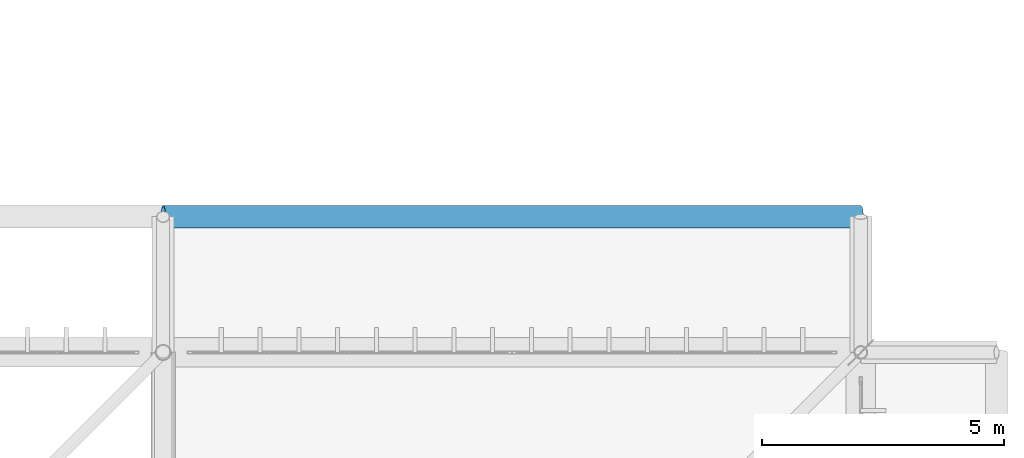
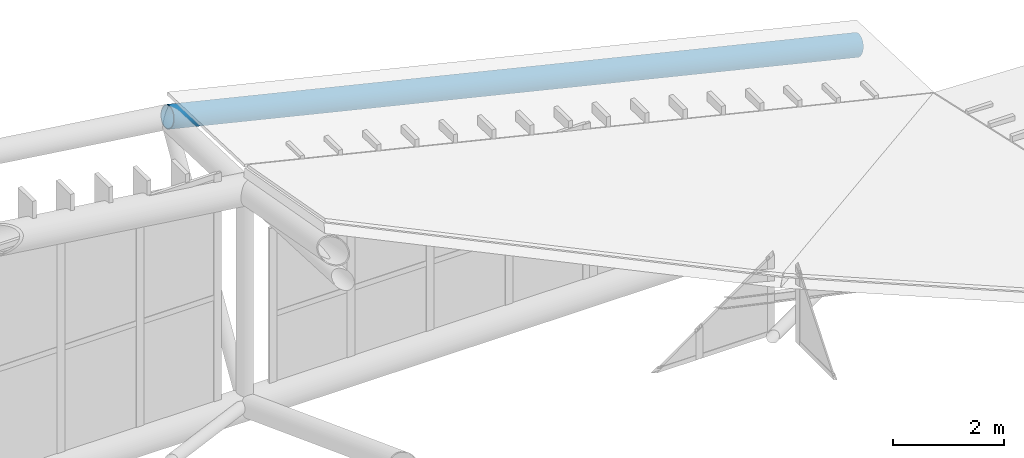
# One storey, part 354 of 397: 1 beam.
"""IFC4 building model written with IfcOpenShell, lengths in metres."""

from ifc_helpers import new_model, si_unit, direction, frame, origin, origin_2d, place, context, subcontext, project, spatial, hollow_circle, extrude, material, material_profile, profile_set, type_object, element, save


model = new_model("IFC4")

# Units and contexts
model_context = context("Model", 3, precision=1e-05, world=origin(), true_north=direction((0.0, 1.0)))
body_context = subcontext(model_context, "Body", "Model", "MODEL_VIEW")
ifc_project = project(units=[si_unit("LENGTHUNIT", "METRE"), si_unit("AREAUNIT", "SQUARE_METRE"), si_unit("VOLUMEUNIT", "CUBIC_METRE"), si_unit("PLANEANGLEUNIT", "RADIAN"), si_unit("MASSUNIT", "GRAM", prefix="KILO")], contexts=[model_context])

# Site, building, storey
site_placement = place(None, origin())
site = spatial("IfcSite", under=ifc_project, at=site_placement, CompositionType="ELEMENT")
building_placement = place(site_placement, origin())
building = spatial("IfcBuilding", under=site, at=building_placement, Name="Qandorah Velis Arena", CompositionType="ELEMENT")
storey_placement = place(building_placement, frame((0.0, 0.0, 27.5)))
storey = spatial("IfcBuildingStorey", under=building, at=storey_placement, Name="RF", CompositionType="ELEMENT", Elevation=27.5)

# Beam
ifc_material = material(Name="Steel S355", Category="steel")
ifc_material_profile = material_profile(ifc_material, hollow_circle(Radius=0.228515625, WallThickness=0.01611328125, at=origin_2d()), Name="CHS 457x16")
ifc_profile_set = profile_set([ifc_material_profile], Name="Steel S355")
beam_type = type_object("IfcBeamType", Name="STR-SFC-CHS457X16", PredefinedType="USERDEFINED", material=ifc_profile_set)
beam_placement = place(storey_placement, frame((100.800048828125, 118.0, 4.751953125), z_axis=(0.972449674239, 0.0, -0.233112914856), x_axis=(0.0, 1.0, 0.0)))
element("IfcBeam", 1, at=beam_placement, inside=storey, type_object=beam_type, Name="Space frame eave fascia ring N-6", ObjectType="ROOF TRUSS", PredefinedType="USERDEFINED", context=body_context, shape_type="SweptSolid", body=[
    extrude(hollow_circle(Radius=0.228515625, WallThickness=0.01611328125, at=origin_2d()), origin(), (0.0, 0.0, 1.0), 14.807861328125),
])

save(model, "model.ifc")
